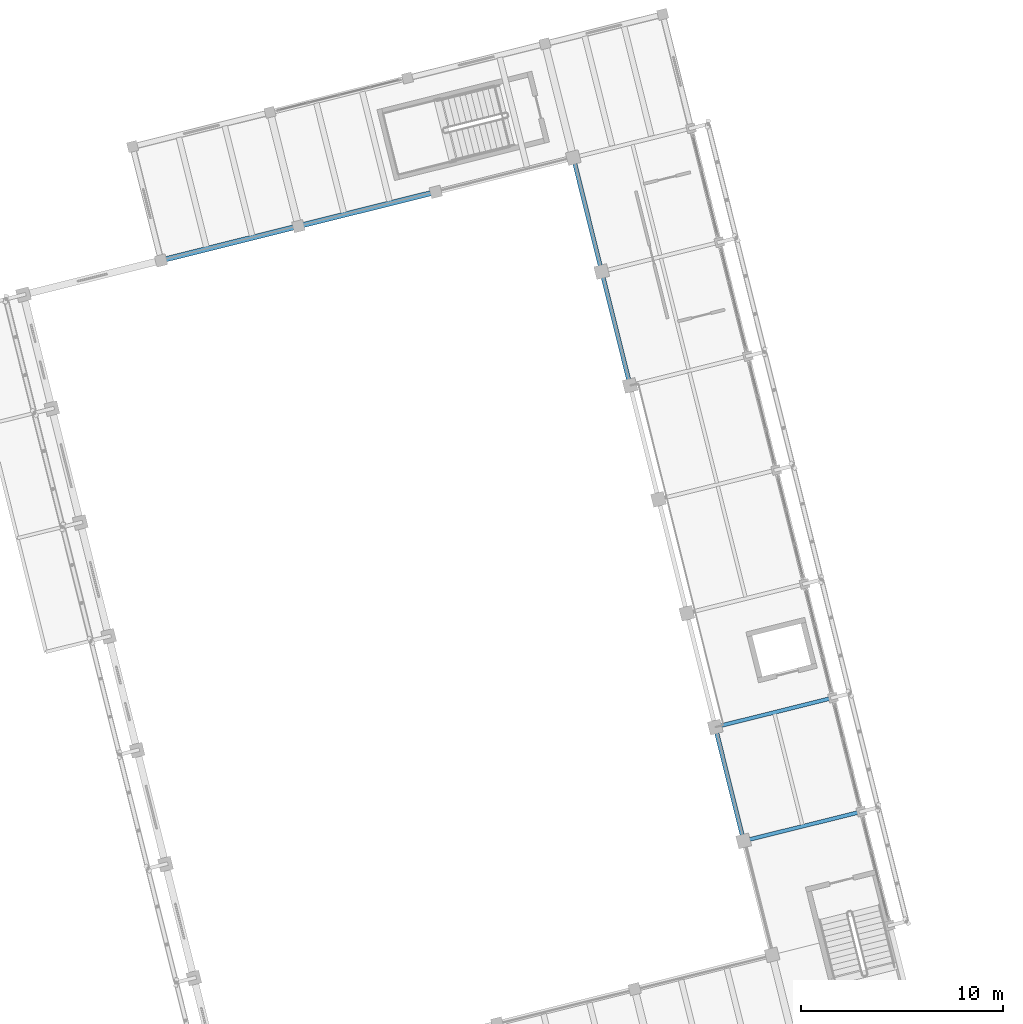
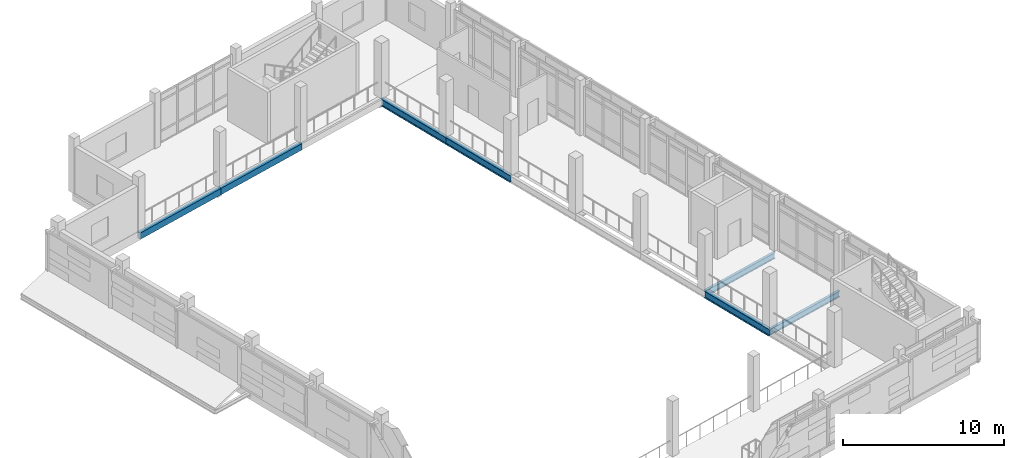
# One storey, part 18 of 137: 7 beams.
"""IFC4 building model written with IfcOpenShell, lengths in metres."""

from ifc_helpers import new_model, si_unit, direction, frame, origin, origin_2d, place, context, subcontext, project, spatial, rectangle, i_section, extrude, material, material_profile, profile_set, type_object, element, save


model = new_model("IFC4")

# Units and contexts
model_context = context("Model", 3, precision=1e-05, world=origin(), true_north=direction((0.0, 1.0)))
body_context = subcontext(model_context, "Body", "Model", "MODEL_VIEW")
ifc_project = project(units=[si_unit("LENGTHUNIT", "METRE"), si_unit("AREAUNIT", "SQUARE_METRE"), si_unit("VOLUMEUNIT", "CUBIC_METRE"), si_unit("PLANEANGLEUNIT", "RADIAN"), si_unit("MASSUNIT", "GRAM", prefix="KILO")], contexts=[model_context])

# Site, building, storey
site_placement = place(None, origin())
site = spatial("IfcSite", under=ifc_project, at=site_placement, CompositionType="ELEMENT")
building_placement = place(site_placement, origin())
building = spatial("IfcBuilding", under=site, at=building_placement, Name="Cinderway Yard Community Centre", CompositionType="ELEMENT")
storey_placement = place(building_placement, frame((0.0, 0.0, 4.800048828125)))
storey = spatial("IfcBuildingStorey", under=building, at=storey_placement, Name="L01", CompositionType="ELEMENT", Elevation=4.800048828125)

# Beams
ifc_material_1 = material(Name="Concrete C40/50", Category="concrete")
ifc_material_profile_1 = material_profile(ifc_material_1, rectangle(XDim=0.260009765625, YDim=0.47998046875, at=origin_2d()), Name="Concrete C40/50")
ifc_profile_set_1 = profile_set([ifc_material_profile_1], Name="Concrete C40/50")
beam_type_1 = type_object("IfcBeamType", Name="STR-BM-RC260X480", PredefinedType="SPANDREL", material=ifc_profile_set_1)
beam_1_placement = place(storey_placement, frame((16.779052734375, 66.2041015625, -0.47998046875), z_axis=(0.970290015189, 0.241944800366, 0.0), x_axis=(-0.241944800366, 0.970290015189, 0.0)))
element("IfcBeam", 1, at=beam_1_placement, inside=storey, type_object=beam_type_1, Name="Primary girder STR-BM-L01-SP01-0045", PredefinedType="SPANDREL", context=body_context, shape_type="SweptSolid", body=[
    extrude(rectangle(XDim=0.260009765625, YDim=0.47998046875, at=origin_2d()), origin(), (0.0, 0.0, 1.0), 7.0009765625),
])
beam_2_placement = place(storey_placement, frame((23.572021484375, 67.89794921875, -0.47998046875), z_axis=(0.970306409839, 0.241879042136, 0.0), x_axis=(-0.241879042136, 0.970306409839, 0.0)))
element("IfcBeam", 2, at=beam_2_placement, inside=storey, type_object=beam_type_1, Name="Primary girder STR-BM-L01-SP01-0046", PredefinedType="SPANDREL", context=body_context, shape_type="SweptSolid", body=[
    extrude(rectangle(XDim=0.260009765625, YDim=0.47998046875, at=origin_2d()), origin(), (0.0, 0.0, 1.0), 6.999755859375),
])
ifc_material_2 = material(Name="Steel S355", Category="steel")
ifc_material_profile_2 = material_profile(ifc_material_2, i_section(OverallWidth=0.19091796875, OverallDepth=0.4599609375, WebThickness=0.010009765625, FlangeThickness=0.014404296875, FilletRadius=0.012939453125, at=origin_2d()), Name="Steel S355")
ifc_profile_set_2 = profile_set([ifc_material_profile_2], Name="Steel S355")
beam_type_2 = type_object("IfcBeamType", Name="STR-BM-W460X82", PredefinedType="JOIST", material=ifc_profile_set_2)
beam_3_placement = place(storey_placement, frame((45.574951171875, 37.51806640625, -0.469970703125), z_axis=(0.970274015212, 0.242008957282, 0.0), x_axis=(-0.242008957282, 0.970274015212, 0.0)))
element("IfcBeam", 3, at=beam_3_placement, inside=storey, type_object=beam_type_2, Name="Primary girder STR-BM-L01-SJ01-0019", PredefinedType="JOIST", context=body_context, shape_type="SweptSolid", body=[
    extrude(i_section(OverallWidth=0.19091796875, OverallDepth=0.4599609375, WebThickness=0.010009765625, FlangeThickness=0.014404296875, FilletRadius=0.012939453125, at=origin_2d()), origin(), (0.0, 0.0, 1.0), 5.999267578125),
])
beam_4_placement = place(storey_placement, frame((44.1708984375, 43.14599609375, -0.469970703125), z_axis=(0.970283546542, 0.241970740608, 0.0), x_axis=(-0.241970740608, 0.970283546542, 0.0)))
element("IfcBeam", 4, at=beam_4_placement, inside=storey, type_object=beam_type_2, Name="Primary girder STR-BM-L01-SJ01-0020", PredefinedType="JOIST", context=body_context, shape_type="SweptSolid", body=[
    extrude(i_section(OverallWidth=0.19091796875, OverallDepth=0.4599609375, WebThickness=0.010009765625, FlangeThickness=0.014404296875, FilletRadius=0.012939453125, at=origin_2d()), origin(), (0.0, 0.0, 1.0), 6.000244140625),
])
ifc_material_profile_3 = material_profile(ifc_material_2, i_section(OverallWidth=0.2109375, OverallDepth=0.5390625, WebThickness=0.010986328125, FlangeThickness=0.017333984375, FilletRadius=0.013916015625, at=origin_2d()), Name="Steel S355")
ifc_profile_set_3 = profile_set([ifc_material_profile_3], Name="Steel S355")
beam_type_3 = type_object("IfcBeamType", Name="STR-BM-W530X109", PredefinedType="BEAM", material=ifc_profile_set_3)
beam_5_placement = place(storey_placement, frame((45.574951171875, 37.51806640625, -0.510009765625), z_axis=(-0.242060225261, 0.970261226344, 0.0), x_axis=(-0.970261226344, -0.242060225261, 0.0)))
element("IfcBeam", 5, at=beam_5_placement, inside=storey, type_object=beam_type_3, Name="Transverse girder STR-BM-L01-SB06-0027", PredefinedType="BEAM", context=body_context, shape_type="SweptSolid", body=[
    extrude(i_section(OverallWidth=0.2109375, OverallDepth=0.5390625, WebThickness=0.010986328125, FlangeThickness=0.017333984375, FilletRadius=0.013916015625, at=origin_2d()), origin(), (0.0, 0.0, 1.0), 5.800537109375),
])
beam_6_placement = place(storey_placement, frame((39.9619140625, 60.029052734375, -0.510009765625), z_axis=(-0.241862090534, 0.970310635396, 0.0), x_axis=(-0.970310635396, -0.241862090534, 0.0)))
element("IfcBeam", 6, at=beam_6_placement, inside=storey, type_object=beam_type_3, Name="Transverse girder STR-BM-L01-SB06-0031", PredefinedType="BEAM", context=body_context, shape_type="SweptSolid", body=[
    extrude(i_section(OverallWidth=0.2109375, OverallDepth=0.5390625, WebThickness=0.010986328125, FlangeThickness=0.017333984375, FilletRadius=0.013916015625, at=origin_2d()), origin(), (0.0, 0.0, 1.0), 5.800048828125),
])
beam_7_placement = place(storey_placement, frame((38.55908203125, 65.656982421875, -0.510009765625), z_axis=(-0.2419017199, 0.97030075642, 0.0), x_axis=(-0.97030075642, -0.2419017199, 0.0)))
element("IfcBeam", 7, at=beam_7_placement, inside=storey, type_object=beam_type_3, Name="Transverse girder STR-BM-L01-SB06-0032", PredefinedType="BEAM", context=body_context, shape_type="SweptSolid", body=[
    extrude(i_section(OverallWidth=0.2109375, OverallDepth=0.5390625, WebThickness=0.010986328125, FlangeThickness=0.017333984375, FilletRadius=0.013916015625, at=origin_2d()), origin(), (0.0, 0.0, 1.0), 5.80029296875),
])

save(model, "model.ifc")
